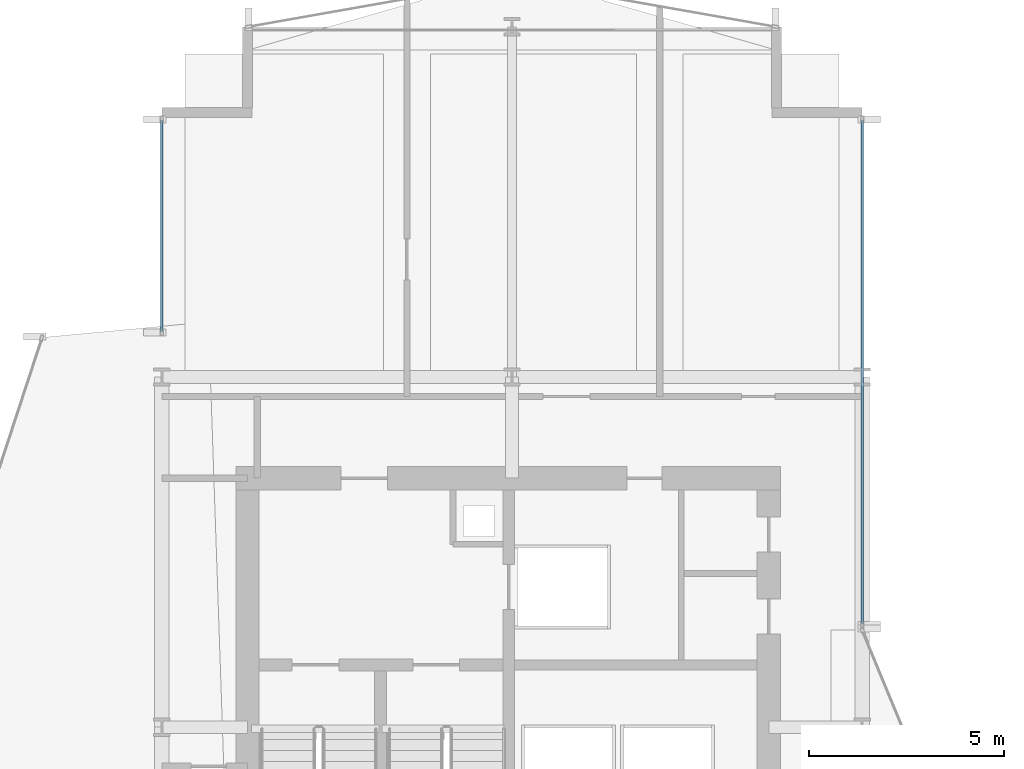
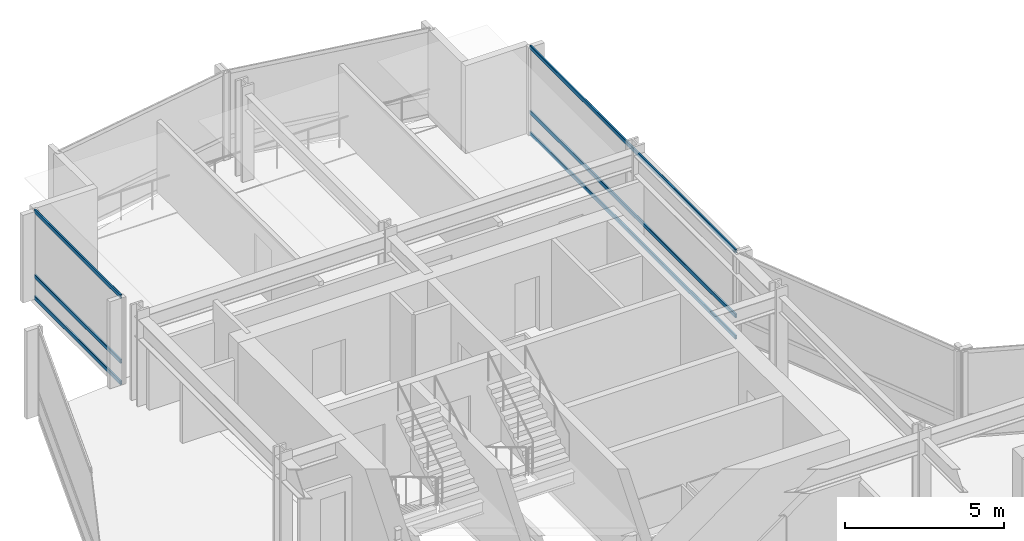
# One storey, part 23 of 35: 6 members, 2 elements without a shape of their own.
"""IFC4 building model written with IfcOpenShell, lengths in metres."""

from ifc_helpers import new_model, si_unit, direction, frame, origin, origin_2d, place, context, subcontext, project, spatial, hollow_rectangle, extrude, material, layer, layer_set, material_profile, profile_set, type_object, element, aggregate, save


model = new_model("IFC4")

# Units and contexts
model_context = context("Model", 3, precision=1e-05, world=origin(), true_north=direction((0.0, 1.0)))
body_context = subcontext(model_context, "Body", "Model", "MODEL_VIEW")
ifc_project = project(units=[si_unit("LENGTHUNIT", "METRE"), si_unit("AREAUNIT", "SQUARE_METRE"), si_unit("VOLUMEUNIT", "CUBIC_METRE"), si_unit("PLANEANGLEUNIT", "RADIAN"), si_unit("MASSUNIT", "GRAM", prefix="KILO")], contexts=[model_context])

# Site, building, storey
site_placement = place(None, origin())
site = spatial("IfcSite", under=ifc_project, at=site_placement, CompositionType="ELEMENT")
building_placement = place(site_placement, origin())
building = spatial("IfcBuilding", under=site, at=building_placement, Name="Solvaryn Broadcast Tower", CompositionType="ELEMENT")
storey_placement = place(building_placement, frame((0.0, 0.0, 80.39990234375)))
storey = spatial("IfcBuildingStorey", under=building, at=storey_placement, Name="L19", CompositionType="ELEMENT", Elevation=80.39990234375)

# Curtain wall, members
ifc_material_1 = material(Name="Aluminium and Terracotta Unitised Curtain Wall", Category="masonry")
ifc_layer = layer(ifc_material_1, 0.199951171875)
ifc_layer_set = layer_set([ifc_layer], Name="CW-SYS2-LOWMID")
curtain_wall_type = type_object("IfcCurtainWallType", Name="CW-SYS2-LOWMID", PredefinedType="NOTDEFINED", material=ifc_layer_set)
curtain_wall_1_placement = place(storey_placement, origin())
curtain_wall_1 = element("IfcCurtainWall", 1, at=curtain_wall_1_placement, inside=storey, type_object=curtain_wall_type, Name="L19 Curtain Wall W2", PredefinedType="NOTDEFINED")
ifc_material_2 = material(Name="Anodised Aluminium 6063-T6", Category="aluminium")
ifc_material_profile = material_profile(ifc_material_2, hollow_rectangle(XDim=0.06494140625, YDim=0.14990234375, WallThickness=0.00390625, InnerFilletRadius=0.00390625, OuterFilletRadius=0.008056640625, at=origin_2d()))
ifc_profile_set = profile_set([ifc_material_profile], Name="Anodised Aluminium 6063-T6")
member_type = type_object("IfcMemberType", Name="CW-TRN-150", PredefinedType="USERDEFINED", material=ifc_profile_set)
member_1_placement = place(storey_placement, frame((9.0, 46.176025390625, 0.030029296875), z_axis=(0.0, 1.0, 0.0), x_axis=(-1.0, 0.0, 0.0)))
member_1 = element("IfcMember", 2, at=member_1_placement, type_object=member_type, Name="CWS2 transom 1.1", ObjectType="TRANSOM", PredefinedType="USERDEFINED", context=body_context, shape_type="SweptSolid", body=[
    extrude(hollow_rectangle(XDim=0.06494140625, YDim=0.14990234375, WallThickness=0.00390625, InnerFilletRadius=0.00390625, OuterFilletRadius=0.008056640625, at=origin_2d()), origin(), (0.0, 0.0, 1.0), 5.4140625),
])
member_2_placement = place(storey_placement, frame((9.0, 46.176025390625, 0.85009765625), z_axis=(0.0, 1.0, 0.0), x_axis=(-1.0, 0.0, 0.0)))
member_2 = element("IfcMember", 3, at=member_2_placement, type_object=member_type, Name="CWS2 transom 1.2", ObjectType="TRANSOM", PredefinedType="USERDEFINED", context=body_context, shape_type="SweptSolid", body=[
    extrude(hollow_rectangle(XDim=0.06494140625, YDim=0.14990234375, WallThickness=0.00390625, InnerFilletRadius=0.00390625, OuterFilletRadius=0.008056640625, at=origin_2d()), origin(), (0.0, 0.0, 1.0), 5.4140625),
])
member_3_placement = place(storey_placement, frame((9.0, 46.176025390625, 3.340087890625), z_axis=(0.0, 1.0, 0.0), x_axis=(-1.0, 0.0, 0.0)))
member_3 = element("IfcMember", 4, at=member_3_placement, type_object=member_type, Name="CWS2 transom 1.3", ObjectType="TRANSOM", PredefinedType="USERDEFINED", context=body_context, shape_type="SweptSolid", body=[
    extrude(hollow_rectangle(XDim=0.06494140625, YDim=0.14990234375, WallThickness=0.00390625, InnerFilletRadius=0.00390625, OuterFilletRadius=0.008056640625, at=origin_2d()), origin(), (0.0, 0.0, 1.0), 5.4140625),
])
aggregate(curtain_wall_1, [member_1, member_2, member_3])

curtain_wall_2_placement = place(storey_placement, origin())
curtain_wall_2 = element("IfcCurtainWall", 5, at=curtain_wall_2_placement, inside=storey, type_object=curtain_wall_type, Name="L19 Curtain Wall IV", PredefinedType="NOTDEFINED")
member_4_placement = place(storey_placement, frame((27.0, 51.590087890625, 0.030029296875), z_axis=(0.0, -1.0, 0.0), x_axis=(1.0, 0.0, 0.0)))
member_4 = element("IfcMember", 6, at=member_4_placement, type_object=member_type, Name="CWS2 transom 1.1", ObjectType="TRANSOM", PredefinedType="USERDEFINED", context=body_context, shape_type="SweptSolid", body=[
    extrude(hollow_rectangle(XDim=0.06494140625, YDim=0.14990234375, WallThickness=0.00390625, InnerFilletRadius=0.00390625, OuterFilletRadius=0.008056640625, at=origin_2d()), origin(), (0.0, 0.0, 1.0), 12.93017578125),
])
member_5_placement = place(storey_placement, frame((27.0, 51.590087890625, 0.85009765625), z_axis=(0.0, -1.0, 0.0), x_axis=(1.0, 0.0, 0.0)))
member_5 = element("IfcMember", 7, at=member_5_placement, type_object=member_type, Name="CWS2 transom 1.2", ObjectType="TRANSOM", PredefinedType="USERDEFINED", context=body_context, shape_type="SweptSolid", body=[
    extrude(hollow_rectangle(XDim=0.06494140625, YDim=0.14990234375, WallThickness=0.00390625, InnerFilletRadius=0.00390625, OuterFilletRadius=0.008056640625, at=origin_2d()), origin(), (0.0, 0.0, 1.0), 12.93017578125),
])
member_6_placement = place(storey_placement, frame((27.0, 51.590087890625, 3.340087890625), z_axis=(0.0, -1.0, 0.0), x_axis=(1.0, 0.0, 0.0)))
member_6 = element("IfcMember", 8, at=member_6_placement, type_object=member_type, Name="CWS2 transom 1.3", ObjectType="TRANSOM", PredefinedType="USERDEFINED", context=body_context, shape_type="SweptSolid", body=[
    extrude(hollow_rectangle(XDim=0.06494140625, YDim=0.14990234375, WallThickness=0.00390625, InnerFilletRadius=0.00390625, OuterFilletRadius=0.008056640625, at=origin_2d()), origin(), (0.0, 0.0, 1.0), 12.93017578125),
])
aggregate(curtain_wall_2, [member_4, member_5, member_6])

save(model, "model.ifc")
